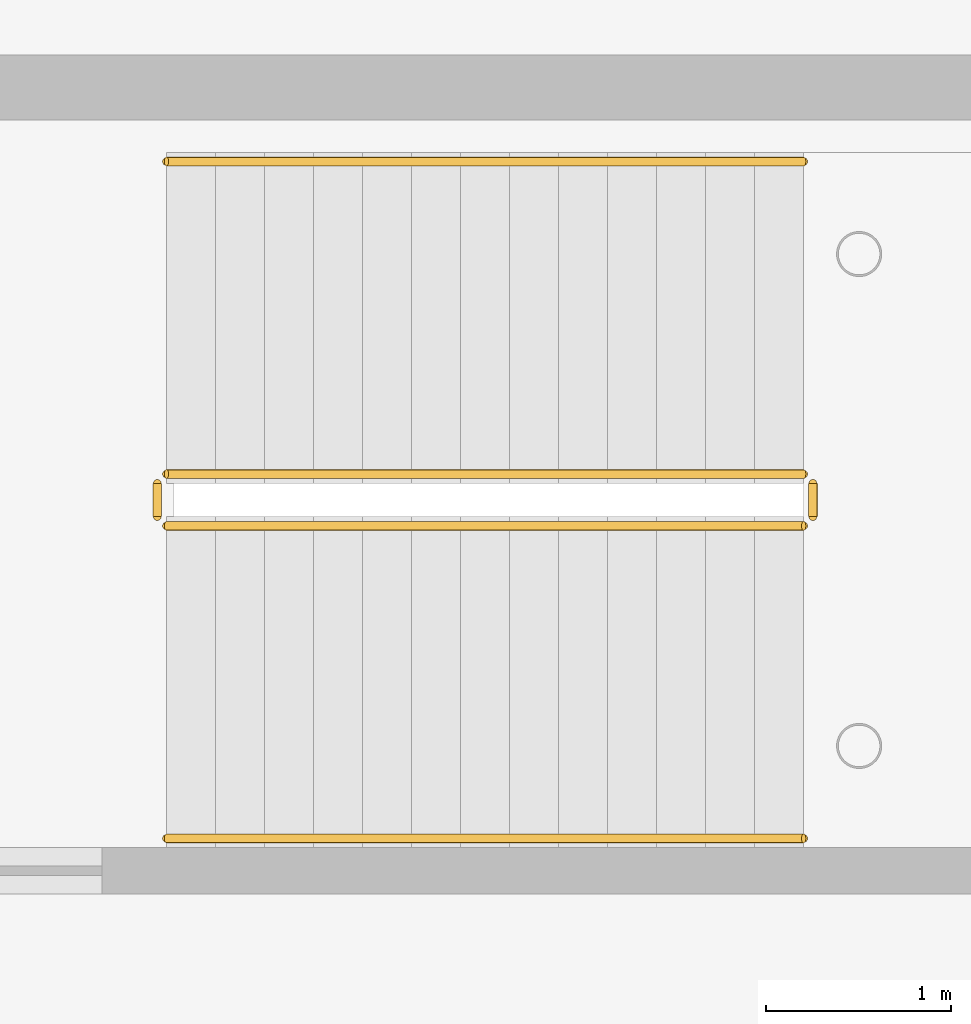
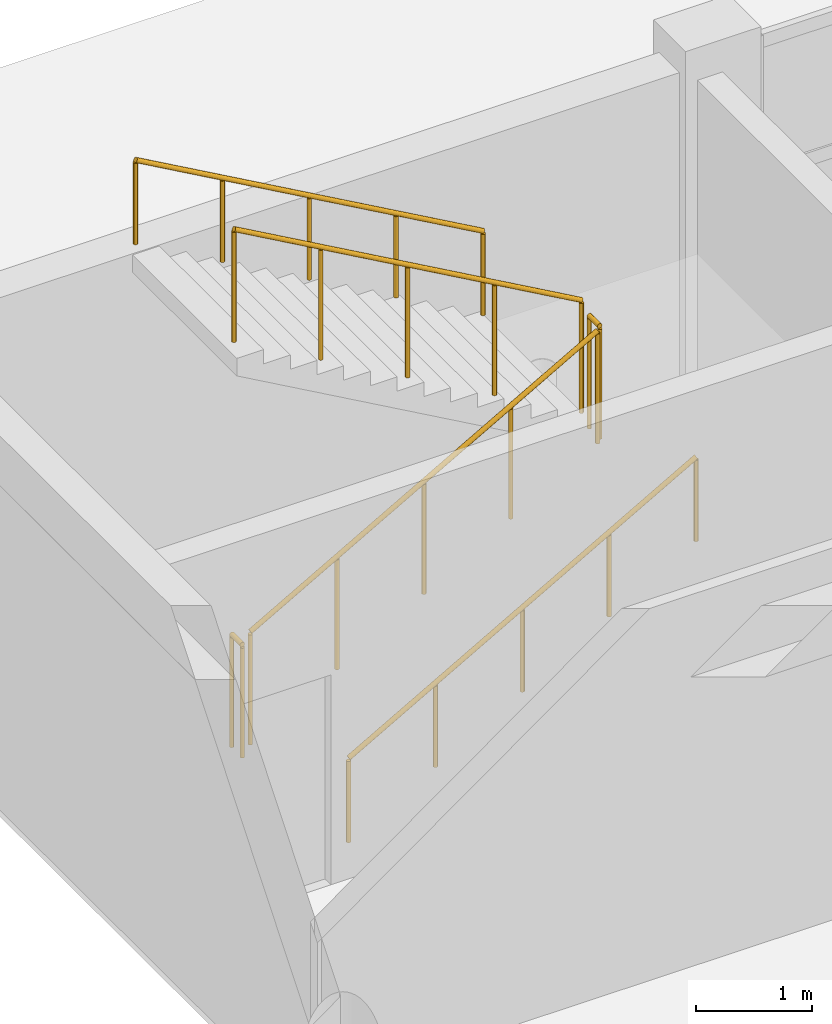
# One storey, part 187 of 195: 6 railings.
"""IFC4 building model written with IfcOpenShell, lengths in metres."""

from ifc_helpers import new_model, si_unit, direction, frame, origin, origin_2d, place, context, subcontext, project, spatial, circle, extrude, material, type_object, element, save


model = new_model("IFC4")

# Units and contexts
model_context = context("Model", 3, precision=1e-05, world=origin(), true_north=direction((0.0, 1.0)))
body_context = subcontext(model_context, "Body", "Model", "MODEL_VIEW")
ifc_project = project(units=[si_unit("LENGTHUNIT", "METRE"), si_unit("AREAUNIT", "SQUARE_METRE"), si_unit("VOLUMEUNIT", "CUBIC_METRE"), si_unit("PLANEANGLEUNIT", "RADIAN"), si_unit("MASSUNIT", "GRAM", prefix="KILO")], contexts=[model_context])

# Site, building, storey
site_placement = place(None, origin())
site = spatial("IfcSite", under=ifc_project, at=site_placement, CompositionType="ELEMENT")
building_placement = place(site_placement, origin())
building = spatial("IfcBuilding", under=site, at=building_placement, Name="Kharva Crest Polytechnic", CompositionType="ELEMENT")
storey_placement = place(building_placement, frame((0.0, 0.0, 9.0)))
storey = spatial("IfcBuildingStorey", under=building, at=storey_placement, Name="L02", CompositionType="ELEMENT", Elevation=9.0)

# Railings
ifc_material_1 = material(Name="Anodised aluminium", Category="aluminium")
railing_type_1 = type_object("IfcRailingType", Name="RL-STAIR-GUARD-1200", PredefinedType="GUARDRAIL", material=ifc_material_1)
railing_1_placement = place(storey_placement, frame((122.89990234375, 28.030029296875, 0.14990234375)))
element("IfcRailing", 1, at=railing_1_placement, inside=storey, type_object=railing_type_1, Name="L02 ST-07 stair guard 1", PredefinedType="GUARDRAIL", context=body_context, shape_type="SweptSolid", body=[
    extrude(circle(Radius=0.02392578125, at=origin_2d()), frame((0.0, 0.0, 1.17578125), z_axis=(0.870239894607, 0.0, 0.492628182136), x_axis=(0.0, 1.0, 0.0)), (0.0, 0.0, 1.0), 3.958740234375),
    extrude(circle(Radius=0.02099609375, at=origin_2d()), origin(), (0.0, 0.0, 1.0), 1.15185546875),
    extrude(circle(Radius=0.02099609375, at=origin_2d()), frame((0.861328125, 0.0, 0.487548828125)), (0.0, 0.0, 1.0), 1.15185546875),
    extrude(circle(Radius=0.02099609375, at=origin_2d()), frame((1.72265625, 0.0, 0.97509765625)), (0.0, 0.0, 1.0), 1.15185546875),
    extrude(circle(Radius=0.02099609375, at=origin_2d()), frame((2.583740234375, 0.0, 1.462646484375)), (0.0, 0.0, 1.0), 1.15185546875),
    extrude(circle(Radius=0.02099609375, at=origin_2d()), frame((3.445068359375, 0.0, 1.9501953125)), (0.0, 0.0, 1.0), 1.15185546875),
])
railing_2_placement = place(storey_placement, frame((126.39501953125, 28.080078125, 2.10009765625)))
element("IfcRailing", 2, at=railing_2_placement, inside=storey, type_object=railing_type_1, Name="L02 ST-07 stair guard 2", PredefinedType="GUARDRAIL", context=body_context, shape_type="SweptSolid", body=[
    extrude(circle(Radius=0.02392578125, at=origin_2d()), frame((0.0, 0.0, 1.17578125), z_axis=(0.0, 1.0, 0.0), x_axis=(-1.0, 0.0, 0.0)), (0.0, 0.0, 1.0), 0.179931640625),
    extrude(circle(Radius=0.02099609375, at=origin_2d()), origin(), (0.0, 0.0, 1.0), 1.15185546875),
    extrude(circle(Radius=0.02099609375, at=origin_2d()), frame((0.0, 0.179931640625, 0.0)), (0.0, 0.0, 1.0), 1.15185546875),
])
railing_3_placement = place(storey_placement, frame((126.344970703125, 28.31005859375, 2.25)))
element("IfcRailing", 3, at=railing_3_placement, inside=storey, type_object=railing_type_1, Name="L02 ST-07 stair guard 3", PredefinedType="GUARDRAIL", context=body_context, shape_type="SweptSolid", body=[
    extrude(circle(Radius=0.02392578125, at=origin_2d()), frame((0.0, 0.0, 1.17578125), z_axis=(-0.870266332817, 0.0, 0.492581475459), x_axis=(0.0, -1.0, 0.0)), (0.0, 0.0, 1.0), 3.958740234375),
    extrude(circle(Radius=0.02099609375, at=origin_2d()), origin(), (0.0, 0.0, 1.0), 1.15185546875),
    extrude(circle(Radius=0.02099609375, at=origin_2d()), frame((-0.861328125, 0.0, 0.487548828125)), (0.0, 0.0, 1.0), 1.15185546875),
    extrude(circle(Radius=0.02099609375, at=origin_2d()), frame((-1.72265625, 0.0, 0.97509765625)), (0.0, 0.0, 1.0), 1.15185546875),
    extrude(circle(Radius=0.02099609375, at=origin_2d()), frame((-2.583740234375, 0.0, 1.46240234375)), (0.0, 0.0, 1.0), 1.15185546875),
    extrude(circle(Radius=0.02099609375, at=origin_2d()), frame((-3.445068359375, 0.0, 1.949951171875)), (0.0, 0.0, 1.0), 1.15185546875),
])
railing_4_placement = place(storey_placement, frame((122.85009765625, 28.080078125, 0.0)))
element("IfcRailing", 4, at=railing_4_placement, inside=storey, type_object=railing_type_1, Name="L02 ST-07 stair guard 4", PredefinedType="GUARDRAIL", context=body_context, shape_type="SweptSolid", body=[
    extrude(circle(Radius=0.02392578125, at=origin_2d()), frame((0.0, 0.0, 1.17578125), z_axis=(0.0, 1.0, 0.0), x_axis=(-1.0, 0.0, 0.0)), (0.0, 0.0, 1.0), 0.179931640625),
    extrude(circle(Radius=0.02099609375, at=origin_2d()), origin(), (0.0, 0.0, 1.0), 1.15185546875),
    extrude(circle(Radius=0.02099609375, at=origin_2d()), frame((0.0, 0.179931640625, 0.0)), (0.0, 0.0, 1.0), 1.15185546875),
])
ifc_material_2 = material(Name="Teak timber", Category="wood")
railing_type_2 = type_object("IfcRailingType", Name="RL-STAIR-HAND-900", PredefinedType="HANDRAIL", material=ifc_material_2)
railing_5_placement = place(storey_placement, frame((122.89990234375, 26.340087890625, 0.14990234375)))
element("IfcRailing", 5, at=railing_5_placement, inside=storey, type_object=railing_type_2, Name="L02 ST-07 stair handrail 1", PredefinedType="HANDRAIL", context=body_context, shape_type="SweptSolid", body=[
    extrude(circle(Radius=0.02392578125, at=origin_2d()), frame((0.0, 0.0, 0.8759765625), z_axis=(0.870239894607, 0.0, 0.492628182136), x_axis=(0.0, 1.0, 0.0)), (0.0, 0.0, 1.0), 3.958740234375),
    extrude(circle(Radius=0.02099609375, at=origin_2d()), origin(), (0.0, 0.0, 1.0), 0.851806640625),
    extrude(circle(Radius=0.02099609375, at=origin_2d()), frame((0.861328125, 0.0, 0.487548828125)), (0.0, 0.0, 1.0), 0.851806640625),
    extrude(circle(Radius=0.02099609375, at=origin_2d()), frame((1.72265625, 0.0, 0.97509765625)), (0.0, 0.0, 1.0), 0.851806640625),
    extrude(circle(Radius=0.02099609375, at=origin_2d()), frame((2.583740234375, 0.0, 1.462646484375)), (0.0, 0.0, 1.0), 0.851806640625),
    extrude(circle(Radius=0.02099609375, at=origin_2d()), frame((3.445068359375, 0.0, 1.9501953125)), (0.0, 0.0, 1.0), 0.851806640625),
])
railing_6_placement = place(storey_placement, frame((126.344970703125, 30.0, 2.25)))
element("IfcRailing", 6, at=railing_6_placement, inside=storey, type_object=railing_type_2, Name="L02 ST-07 stair handrail 2", PredefinedType="HANDRAIL", context=body_context, shape_type="SweptSolid", body=[
    extrude(circle(Radius=0.02392578125, at=origin_2d()), frame((0.0, 0.0, 0.8759765625), z_axis=(-0.870266332817, 0.0, 0.492581475459), x_axis=(0.0, -1.0, 0.0)), (0.0, 0.0, 1.0), 3.958740234375),
    extrude(circle(Radius=0.02099609375, at=origin_2d()), origin(), (0.0, 0.0, 1.0), 0.851806640625),
    extrude(circle(Radius=0.02099609375, at=origin_2d()), frame((-0.861328125, 0.0, 0.487548828125)), (0.0, 0.0, 1.0), 0.851806640625),
    extrude(circle(Radius=0.02099609375, at=origin_2d()), frame((-1.72265625, 0.0, 0.97509765625)), (0.0, 0.0, 1.0), 0.851806640625),
    extrude(circle(Radius=0.02099609375, at=origin_2d()), frame((-2.583740234375, 0.0, 1.46240234375)), (0.0, 0.0, 1.0), 0.851806640625),
    extrude(circle(Radius=0.02099609375, at=origin_2d()), frame((-3.445068359375, 0.0, 1.949951171875)), (0.0, 0.0, 1.0), 0.851806640625),
])

save(model, "model.ifc")
